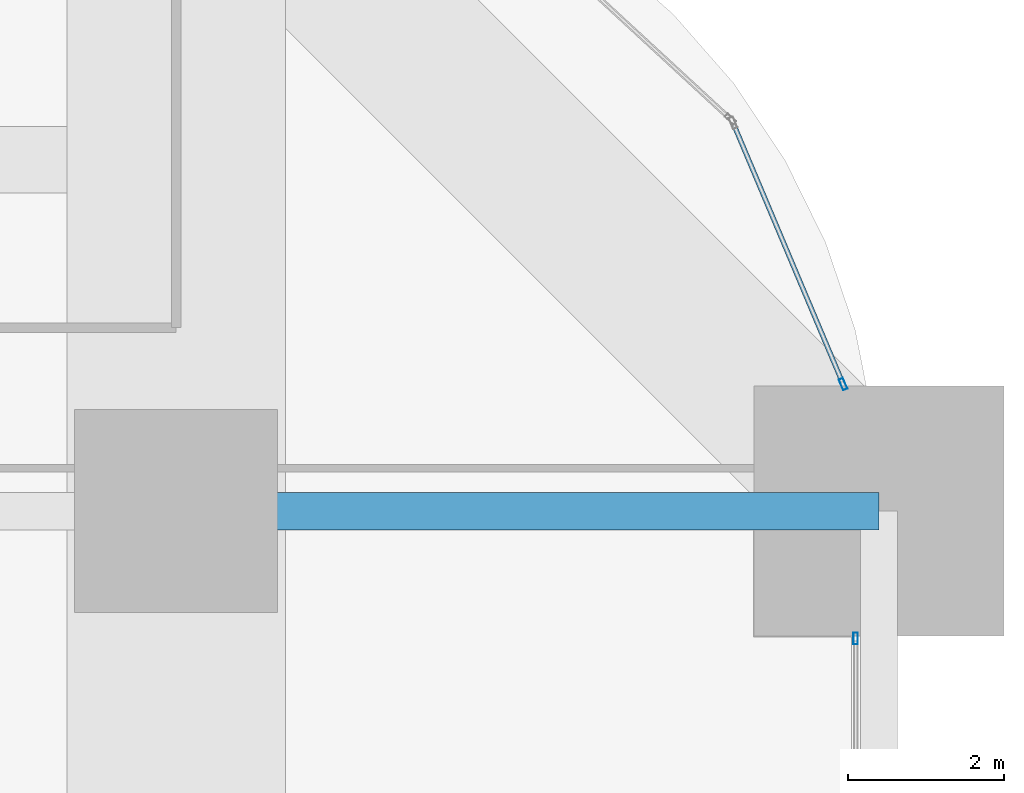
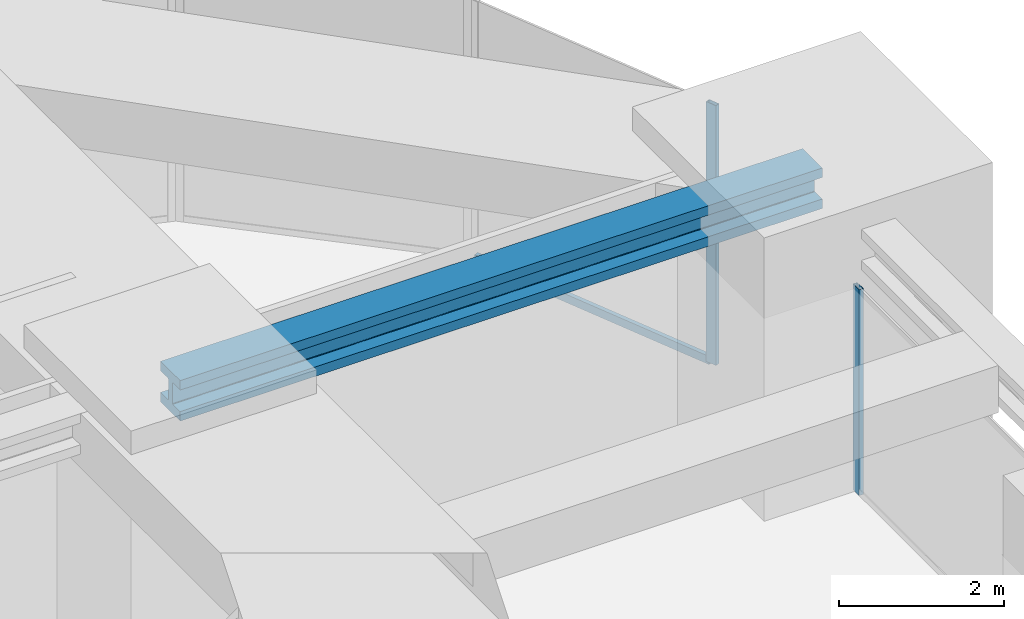
# One storey, part 37 of 45: 3 members, 1 beam, 2 elements without a shape of their own.
"""IFC4 building model written with IfcOpenShell, lengths in metres."""

import ifcopenshell
import ifcopenshell.guid

model = None  # the IFC model being written
_history = None  # IfcOwnerHistory: only IFC2X3 demands one
_inside = {}  # id of a spatial element -> (the spatial element, [elements in it])
_under = {}  # id of a project, library or spatial element -> (it, [spatial elements below it])
_declared = {}  # id of a project -> (the project, [libraries it declares])
_typed = {}  # id of a type object -> (the type object, [elements of that type])
_made_of = {}  # id of a material, layer set ... -> (it, [elements and type objects made of it])


def new_model(schema):
    """Start an empty IFC model of exactly this schema.

    Asked for "IFC4X3", IfcOpenShell would pick the latest addendum, in which some entities
    have other attributes; the version numbers below select the first issue.
    IFC2X3 requires an IfcOwnerHistory on every rooted entity: one is made here for all.
    """
    global model, _history
    if schema == "IFC4X3":
        model = ifcopenshell.file(schema_version=(4, 3, 0, 0))
    else:
        model = ifcopenshell.file(schema=schema)
    _inside.clear()
    _under.clear()
    _declared.clear()
    _typed.clear()
    _made_of.clear()
    _history = None
    if model.schema == "IFC2X3":
        org = make("IfcOrganization", Name="unknown")
        user = make(
            "IfcPersonAndOrganization",
            ThePerson=make("IfcPerson", FamilyName="unknown"),
            TheOrganization=org,
        )
        app = make(
            "IfcApplication",
            ApplicationDeveloper=org,
            Version="unknown",
            ApplicationFullName="unknown",
            ApplicationIdentifier="unknown",
        )
        _history = make(
            "IfcOwnerHistory",
            OwningUser=user,
            OwningApplication=app,
            ChangeAction="ADDED",
            CreationDate=0,
        )
    return model


def make(cls, **values):
    """One entity of the class cls with the attributes given. An attribute that is None is left unset."""
    return model.create_entity(
        cls, **{name: value for name, value in values.items() if value is not None}
    )


def rooted(cls, **values):
    """An entity with a GlobalId (a new one), such as an element, a storey or a relation."""
    return make(cls, GlobalId=ifcopenshell.guid.new(), OwnerHistory=_history, **values)


def si_unit(unit_type, name, prefix=None):
    """IfcSIUnit, for example si_unit("LENGTHUNIT", "METRE", prefix="MILLI")."""
    return make("IfcSIUnit", UnitType=unit_type, Prefix=prefix, Name=name)


def assignment(units):
    """IfcUnitAssignment: the units of a project."""
    return None if units is None else make("IfcUnitAssignment", Units=units)


def point(xyz):
    """IfcCartesianPoint."""
    return None if xyz is None else make("IfcCartesianPoint", Coordinates=xyz)


def direction(xyz):
    """IfcDirection."""
    return None if xyz is None else make("IfcDirection", DirectionRatios=xyz)


def frame(location, z_axis=None, x_axis=None):
    """IfcAxis2Placement3D, a coordinate frame: its origin and axes. An axis left out is left unset."""
    return make(
        "IfcAxis2Placement3D",
        Location=point(location),
        Axis=direction(z_axis),
        RefDirection=direction(x_axis),
    )


def frame_2d(location, x_axis=None):
    """IfcAxis2Placement2D, a coordinate frame in the plane: its origin and x axis."""
    return make(
        "IfcAxis2Placement2D", Location=point(location), RefDirection=direction(x_axis)
    )


def origin():
    """The frame at (0, 0, 0) with its axes left unset."""
    return frame((0.0, 0.0, 0.0))


def origin_2d():
    """The frame at (0, 0) in the plane with its x axis left unset."""
    return frame_2d((0.0, 0.0))


def place(relative_to, where):
    """IfcLocalPlacement: puts the frame where relative to a parent placement (None: the world)."""
    return make(
        "IfcLocalPlacement", PlacementRelTo=relative_to, RelativePlacement=where
    )


def context(
    kind, dimensions, precision=None, world=None, true_north=None, identifier=None
):
    """IfcGeometricRepresentationContext, for example the 3D "Model" context."""
    return make(
        "IfcGeometricRepresentationContext",
        ContextIdentifier=identifier,
        ContextType=kind,
        CoordinateSpaceDimension=dimensions,
        Precision=precision,
        WorldCoordinateSystem=world,
        TrueNorth=true_north,
    )


def subcontext(parent, identifier, kind, view, scale=None):
    """IfcGeometricRepresentationSubContext, for example "Body" below "Model"."""
    return make(
        "IfcGeometricRepresentationSubContext",
        ContextIdentifier=identifier,
        ContextType=kind,
        ParentContext=parent,
        TargetScale=scale,
        TargetView=view,
    )


def project(units=None, contexts=None):
    """IfcProject with its units and contexts."""
    return rooted(
        "IfcProject",
        Name="project",
        RepresentationContexts=contexts,
        UnitsInContext=assignment(units),
    )


def spatial(cls, under=None, at=None, **own):
    """A site, building, storey or space (cls), placed at a placement, below another one or the project."""
    s = rooted(cls, ObjectPlacement=at, **own)
    if under is not None:
        _under.setdefault(under.id(), (under, []))[1].append(s)
    return s


def profile(cls, at=None, kind="AREA", **sizes):
    """A parametric profile (cls). Its sizes go by their IFC names, for example OverallWidth=200.0."""
    return make(cls, ProfileType=kind, Position=at, **sizes)


def hollow_rectangle(**sizes):
    """IfcRectangleHollowProfileDef."""
    return profile("IfcRectangleHollowProfileDef", **sizes)


def i_section(**sizes):
    """IfcIShapeProfileDef."""
    return profile("IfcIShapeProfileDef", **sizes)


def extrude(swept, where, along, depth):
    """IfcExtrudedAreaSolid: the profile swept, set in the frame where, extruded along a direction by depth."""
    return make(
        "IfcExtrudedAreaSolid",
        SweptArea=swept,
        Position=where,
        ExtrudedDirection=direction(along),
        Depth=depth,
    )


def shape(context_of_items, identifier, shape_type, items):
    """IfcShapeRepresentation: the items that make up one representation, for example the "Body"."""
    return make(
        "IfcShapeRepresentation",
        ContextOfItems=context_of_items,
        RepresentationIdentifier=identifier,
        RepresentationType=shape_type,
        Items=items,
    )


def material(Name=None, Category=None):
    """IfcMaterial."""
    return make("IfcMaterial", Name=Name, Category=Category)


def material_profile(
    of_material, cross_section, Name=None, Category=None, Priority=None
):
    """IfcMaterialProfile: a cross section and its material."""
    return make(
        "IfcMaterialProfile",
        Name=Name,
        Material=of_material,
        Profile=cross_section,
        Priority=Priority,
        Category=Category,
    )


def profile_set(profiles, Name=None, composite=None):
    """IfcMaterialProfileSet."""
    return make(
        "IfcMaterialProfileSet",
        Name=Name,
        MaterialProfiles=profiles,
        CompositeProfile=composite,
    )


def made_of(thing, what):
    """Note that an element or type object is made of a material, layer set ...; save() writes the relation."""
    if what is not None:
        _made_of.setdefault(what.id(), (what, []))[1].append(thing)
    return thing


def type_object(cls, material=None, **own):
    """A type object (cls), such as IfcWallType, which elements share."""
    return made_of(rooted(cls, **own), material)


def element(
    cls,
    number,
    at=None,
    inside=None,
    cuts=None,
    type_object=None,
    material=None,
    context=None,
    identifier="Body",
    shape_type=None,
    held_by="IfcProductDefinitionShape",
    body=None,
    shapes=None,
    **own,
):
    """One element of the class cls, such as IfcWall. Its Tag is "e" and its number.

    at: its placement. inside: the storey or other place that contains it. cuts: it is an
    opening in that element (IfcRelVoidsElement). A single representation is given by context,
    identifier, shape_type and body (its items); several are given by shapes. held_by: the class
    of the entity that holds the representations. save() writes the other relations.
    """
    e = rooted(cls, Tag="e%d" % number, ObjectPlacement=at, **own)
    if body is not None:
        shapes = [shape(context, identifier, shape_type, body)]
    if shapes is not None:
        e.Representation = make(held_by, Representations=shapes)
    if inside is not None:
        _inside.setdefault(inside.id(), (inside, []))[1].append(e)
    if cuts is not None:
        rooted(
            "IfcRelVoidsElement", RelatingBuildingElement=cuts, RelatedOpeningElement=e
        )
    if type_object is not None:
        _typed.setdefault(type_object.id(), (type_object, []))[1].append(e)
    return made_of(e, material)


def aggregate(whole, parts):
    """IfcRelAggregates: a whole, such as a stair, and the parts it consists of."""
    return rooted("IfcRelAggregates", RelatingObject=whole, RelatedObjects=parts)


def save(model, path):
    """Write the relations noted so far, then the file.

    IfcRelAggregates (storeys below a building ...), IfcRelContainedInSpatialStructure (elements
    in a storey), IfcRelDefinesByType, IfcRelAssociatesMaterial and IfcRelDeclares: one each for
    every whole, place, type object, material and project.
    """
    for whole, parts in _under.values():
        aggregate(whole, parts)
    for where, things in _inside.values():
        rooted(
            "IfcRelContainedInSpatialStructure",
            RelatedElements=things,
            RelatingStructure=where,
        )
    for kind, things in _typed.values():
        rooted("IfcRelDefinesByType", RelatedObjects=things, RelatingType=kind)
    for what, things in _made_of.values():
        rooted("IfcRelAssociatesMaterial", RelatedObjects=things, RelatingMaterial=what)
    for by, libraries in _declared.values():
        rooted("IfcRelDeclares", RelatingContext=by, RelatedDefinitions=libraries)
    model.write(path)


model = new_model("IFC4")

# Units and contexts
model_context = context("Model", 3, precision=1e-05, world=origin(), true_north=direction((0.0, 1.0)))
body_context = subcontext(model_context, "Body", "Model", "MODEL_VIEW")
ifc_project = project(units=[si_unit("LENGTHUNIT", "METRE"), si_unit("AREAUNIT", "SQUARE_METRE"), si_unit("VOLUMEUNIT", "CUBIC_METRE"), si_unit("PLANEANGLEUNIT", "RADIAN"), si_unit("MASSUNIT", "GRAM", prefix="KILO")], contexts=[model_context])

# Site, building, storey
site_placement = place(None, origin())
site = spatial("IfcSite", under=ifc_project, at=site_placement, CompositionType="ELEMENT")
building_placement = place(site_placement, origin())
building = spatial("IfcBuilding", under=site, at=building_placement, Name="Zorevar Civic Tower", CompositionType="ELEMENT")
storey_placement = place(building_placement, frame((0.0, 0.0, 153.0)))
storey = spatial("IfcBuildingStorey", under=building, at=storey_placement, Name="L37", CompositionType="ELEMENT", Elevation=153.0)

# Curtain wall, member
ifc_material_1 = material(Name="Dark grey solar-control glass in black aluminium frame", Category="aluminium")
curtain_wall_type = type_object("IfcCurtainWallType", Name="Curtain wall CW3 mid zone", PredefinedType="NOTDEFINED", material=ifc_material_1)
curtain_wall_1_placement = place(storey_placement, origin())
curtain_wall_1 = element("IfcCurtainWall", 1, at=curtain_wall_1_placement, inside=storey, type_object=curtain_wall_type, Name="CW3 L37", PredefinedType="NOTDEFINED")
ifc_material_2 = material(Name="Aluminium, black anodised", Category="aluminium")
ifc_material_profile_1 = material_profile(ifc_material_2, hollow_rectangle(XDim=0.06005859375, YDim=0.14990234375, WallThickness=0.00390625, at=origin_2d()), Name="AL 150x60x4")
ifc_profile_set_1 = profile_set([ifc_material_profile_1], Name="Aluminium, black anodised")
member_type_1 = type_object("IfcMemberType", Name="CW3 mullion AL 150x60x4", PredefinedType="MULLION", material=ifc_profile_set_1)
member_1_placement = place(storey_placement, frame((62.699951171875, 34.3701171875, 0.0), z_axis=(0.0, 0.0, 1.0), x_axis=(-1.0, 0.0, 0.0)))
member_1 = element("IfcMember", 2, at=member_1_placement, type_object=member_type_1, Name="CW3 mullion 2", PredefinedType="MULLION", context=body_context, shape_type="SweptSolid", body=[
    extrude(hollow_rectangle(XDim=0.06005859375, YDim=0.14990234375, WallThickness=0.00390625, at=origin_2d()), origin(), (0.0, 0.0, 1.0), 3.050048828125),
])
aggregate(curtain_wall_1, [member_1])

# Curtain wall, members
curtain_wall_2_placement = place(storey_placement, origin())
curtain_wall_2 = element("IfcCurtainWall", 3, at=curtain_wall_2_placement, inside=storey, type_object=curtain_wall_type, Name="CW3 L37", PredefinedType="NOTDEFINED")
member_2_placement = place(storey_placement, frame((62.539794921875, 37.627685546875, 0.0), z_axis=(0.0, 0.0, 1.0), x_axis=(-0.921581744025, -0.388184349349, 0.0)))
member_2 = element("IfcMember", 4, at=member_2_placement, type_object=member_type_1, Name="CW3 mullion 1", PredefinedType="MULLION", context=body_context, shape_type="SweptSolid", body=[
    extrude(hollow_rectangle(XDim=0.06005859375, YDim=0.14990234375, WallThickness=0.00390625, at=origin_2d()), origin(), (0.0, 0.0, 1.0), 3.85009765625),
])
ifc_material_3 = material(Name="Aluminium, black anodised", Category="aluminium")
ifc_material_profile_2 = material_profile(ifc_material_3, hollow_rectangle(XDim=0.06005859375, YDim=0.1201171875, WallThickness=0.0029296875, at=origin_2d()), Name="AL 120x60x3")
ifc_profile_set_2 = profile_set([ifc_material_profile_2], Name="Aluminium, black anodised")
member_type_2 = type_object("IfcMemberType", Name="CW3 transom AL 120x60x3", PredefinedType="USERDEFINED", material=ifc_profile_set_2)
member_3_placement = place(storey_placement, frame((62.5283203125, 37.6552734375, 0.030029296875), z_axis=(-0.388200676534, 0.921574866594, 0.0), x_axis=(-0.921574866594, -0.388200676534, 0.0)))
member_3 = element("IfcMember", 5, at=member_3_placement, type_object=member_type_2, Name="CW3 sill transom", ObjectType="TRANSOM", PredefinedType="USERDEFINED", context=body_context, shape_type="SweptSolid", body=[
    extrude(hollow_rectangle(XDim=0.06005859375, YDim=0.1201171875, WallThickness=0.0029296875, at=origin_2d()), origin(), (0.0, 0.0, 1.0), 3.5703125),
])
aggregate(curtain_wall_2, [member_2, member_3])

# Beam
ifc_material_4 = material(Name="Steel S460M (HISTAR 460)", Category="steel")
ifc_material_profile_3 = material_profile(ifc_material_4, i_section(OverallWidth=0.47607421875, OverallDepth=0.60009765625, WebThickness=0.10009765625, FlangeThickness=0.139892578125, FilletRadius=0.014892578125, at=origin_2d()), Name="HD 400x1299")
ifc_profile_set_3 = profile_set([ifc_material_profile_3], Name="Steel S460M (HISTAR 460)")
beam_type = type_object("IfcBeamType", Name="Outrigger chord HD 400x1299", PredefinedType="BEAM", material=ifc_profile_set_3)
beam_placement = place(storey_placement, frame((54.0, 36.0, 3.550048828125), z_axis=(1.0, 0.0, 0.0), x_axis=(0.0, 1.0, 0.0)))
element("IfcBeam", 6, at=beam_placement, inside=storey, type_object=beam_type, Name="Outrigger chord L38", PredefinedType="BEAM", context=body_context, shape_type="SweptSolid", body=[
    extrude(i_section(OverallWidth=0.47607421875, OverallDepth=0.60009765625, WebThickness=0.10009765625, FlangeThickness=0.139892578125, FilletRadius=0.014892578125, at=origin_2d()), origin(), (0.0, 0.0, 1.0), 9.0),
])

save(model, "model.ifc")
